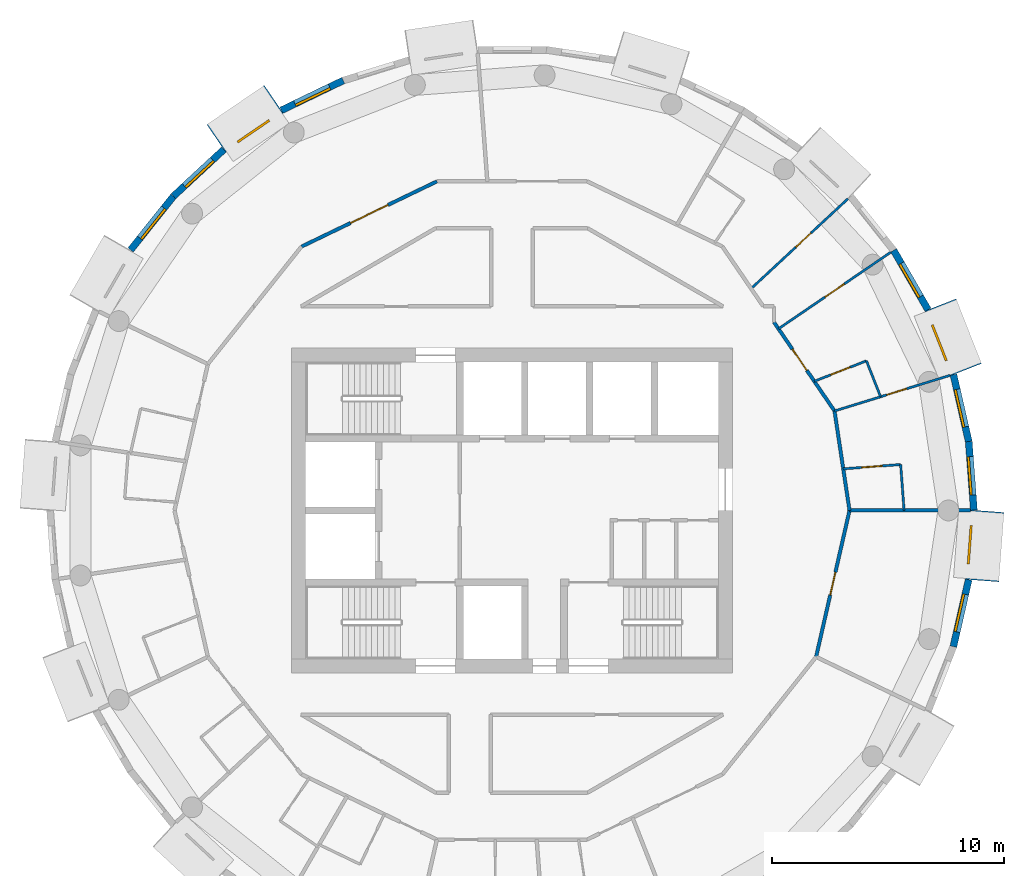
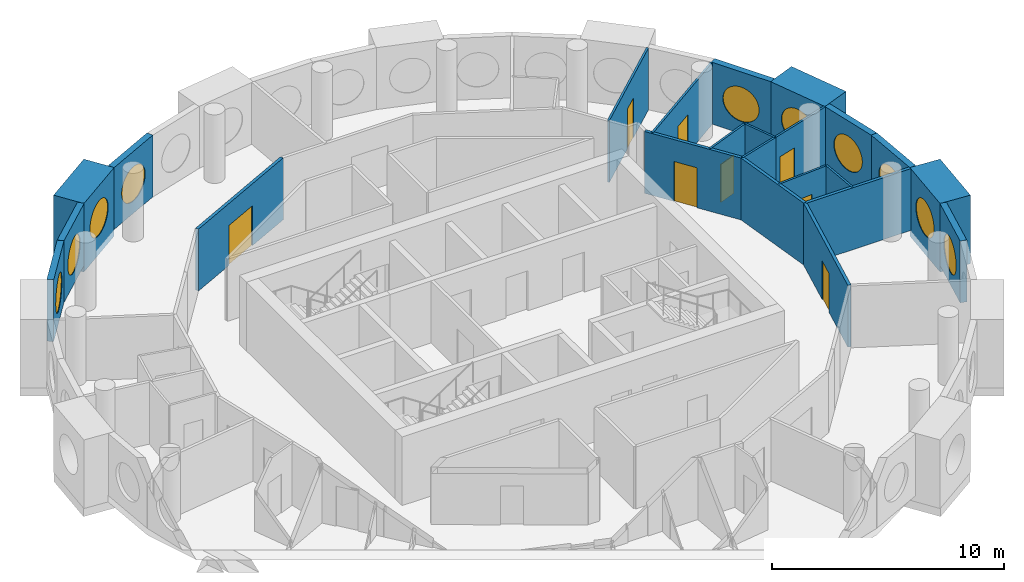
# One storey, part 9 of 12: 23 walls, 10 windows, 8 doors, 18 openings.
"""IFC4 building model written with IfcOpenShell, lengths in metres."""

from ifc_helpers import new_model, si_unit, direction, frame, frame_2d, origin, origin_2d, place, context, subcontext, project, spatial, rectangle, circle, extrude, material, layer, layer_set, type_object, element, fill, save


model = new_model("IFC4")

# Units and contexts
model_context = context("Model", 3, precision=1e-05, world=origin(), true_north=direction((0.0, 1.0)))
body_context = subcontext(model_context, "Body", "Model", "MODEL_VIEW")
ifc_project = project(units=[si_unit("LENGTHUNIT", "METRE"), si_unit("AREAUNIT", "SQUARE_METRE"), si_unit("VOLUMEUNIT", "CUBIC_METRE"), si_unit("PLANEANGLEUNIT", "RADIAN"), si_unit("MASSUNIT", "GRAM", prefix="KILO")], contexts=[model_context])

# Site, building, storey
site_placement = place(None, origin())
site = spatial("IfcSite", under=ifc_project, at=site_placement, CompositionType="ELEMENT")
building_placement = place(site_placement, origin())
building = spatial("IfcBuilding", under=site, at=building_placement, Name="Tracery Tower", CompositionType="ELEMENT")
storey_placement = place(building_placement, frame((0.0, 0.0, 291.0)))
storey = spatial("IfcBuildingStorey", under=building, at=storey_placement, Name="L75", CompositionType="ELEMENT", Elevation=291.0)

# Wall, opening, window
ifc_material_1 = material(Name="Precast concrete C50/60", Category="concrete")
ifc_layer_1 = layer(ifc_material_1, 1.449951171875)
ifc_layer_set_1 = layer_set([ifc_layer_1], Name="Deep-set bay unit 3000 x 3600, slab edge 350")
wall_type_1 = type_object("IfcWallType", Name="Deep-set bay unit 3000 x 3600, slab edge 350", PredefinedType="ELEMENTEDWALL", material=ifc_layer_set_1)
wall_1_placement = place(storey_placement, frame((19.576171875, 6.071533203125, -0.35009765625), z_axis=(0.0, 0.0, 1.0), x_axis=(-0.36537792632, 0.93085926485, 0.0)))
wall_1 = element("IfcWall", 1, at=wall_1_placement, inside=storey, type_object=wall_type_1, Name="Deep-set bay unit 3 at L75", PredefinedType="ELEMENTEDWALL", context=body_context, shape_type="SweptSolid", body=[
    extrude(rectangle(XDim=3.000244140625, YDim=1.449951171875, at=frame_2d((1.5, 0.0))), origin(), (0.0, 0.0, 1.0), 3.60009765625),
])
opening_1_placement = place(wall_1_placement, frame((1.5, 0.0, 1.89990234375)))
opening_1 = element("IfcOpeningElement", 2, at=opening_1_placement, cuts=wall_1, Name="Opening WN1", PredefinedType="OPENING", context=body_context, shape_type="SweptSolid", body=[
    extrude(circle(Radius=0.9000244140625, at=origin_2d()), frame((0.0, 0.73486328125, 0.0), z_axis=(0.0, -1.0, 0.0), x_axis=(1.0, 0.0, 0.0)), (0.0, 0.0, 1.0), 1.469970703125),
])
ifc_material_2 = material(Name="Aluminium frame with tinted double glazing", Category="aluminium")
window_type = type_object("IfcWindowType", Name="Round window 1800", PartitioningType="SINGLE_PANEL", PredefinedType="WINDOW", material=ifc_material_2)
window_1_placement = place(opening_1_placement, origin())
window_1 = element("IfcWindow", 3, at=window_1_placement, inside=storey, type_object=window_type, Name="Round window 3 at L75", OverallHeight=1.800048828125, OverallWidth=1.800048828125, PartitioningType="SINGLE_PANEL", PredefinedType="WINDOW", context=body_context, shape_type="SweptSolid", body=[
    extrude(circle(Radius=0.9000244140625, at=origin_2d()), frame((0.0, 0.69482421875, 0.0), z_axis=(0.0, -1.0, 0.0), x_axis=(1.0, 0.0, 0.0)), (0.0, 0.0, 1.0), 0.10009765625),
])
fill(opening_1, window_1)

wall_2_placement = place(storey_placement, frame((-10.275390625, 17.734130859375, -0.35009765625), z_axis=(0.0, 0.0, 1.0), x_axis=(-0.826246281157, -0.563309047392, 0.0)))
wall_2 = element("IfcWall", 4, at=wall_2_placement, inside=storey, type_object=wall_type_1, Name="Deep-set bay unit 15 at L75", PredefinedType="ELEMENTEDWALL", context=body_context, shape_type="SweptSolid", body=[
    extrude(rectangle(XDim=3.0, YDim=1.449951171875, at=frame_2d((1.5, 0.0))), origin(), (0.0, 0.0, 1.0), 3.60009765625),
])
opening_2_placement = place(wall_2_placement, frame((1.5, 0.0, 1.89990234375)))
opening_2 = element("IfcOpeningElement", 5, at=opening_2_placement, cuts=wall_2, Name="Opening WN1", PredefinedType="OPENING", context=body_context, shape_type="SweptSolid", body=[
    extrude(circle(Radius=0.9000244140625, at=origin_2d()), frame((0.0, 0.73486328125, 0.0), z_axis=(0.0, -1.0, 0.0), x_axis=(1.0, 0.0, 0.0)), (0.0, 0.0, 1.0), 1.469970703125),
])
window_2_placement = place(opening_2_placement, origin())
window_2 = element("IfcWindow", 6, at=window_2_placement, inside=storey, type_object=window_type, Name="Round window 15 at L75", OverallHeight=1.800048828125, OverallWidth=1.800048828125, PartitioningType="SINGLE_PANEL", PredefinedType="WINDOW", context=body_context, shape_type="SweptSolid", body=[
    extrude(circle(Radius=0.9000244140625, at=origin_2d()), frame((0.0, 0.69482421875, 0.0), z_axis=(0.0, -1.0, 0.0), x_axis=(1.0, 0.0, 0.0)), (0.0, 0.0, 1.0), 0.10009765625),
])
fill(opening_2, window_2)

wall_3_placement = place(storey_placement, frame((20.271728515625, -3.0234375, -0.35009765625), z_axis=(0.0, 0.0, 1.0), x_axis=(0.074785902127, 0.997199613339, 0.0)))
wall_3 = element("IfcWall", 7, at=wall_3_placement, inside=storey, type_object=wall_type_1, Name="Deep-set bay unit 42 at L75", PredefinedType="ELEMENTEDWALL", context=body_context, shape_type="SweptSolid", body=[
    extrude(rectangle(XDim=3.0, YDim=1.449951171875, at=frame_2d((1.5, 0.0))), origin(), (0.0, 0.0, 1.0), 3.60009765625),
])
opening_3_placement = place(wall_3_placement, frame((1.5, 0.0, 1.89990234375)))
opening_3 = element("IfcOpeningElement", 8, at=opening_3_placement, cuts=wall_3, Name="Opening WN1", PredefinedType="OPENING", context=body_context, shape_type="SweptSolid", body=[
    extrude(circle(Radius=0.9000244140625, at=origin_2d()), frame((0.0, 0.73486328125, 0.0), z_axis=(0.0, -1.0, 0.0), x_axis=(1.0, 0.0, 0.0)), (0.0, 0.0, 1.0), 1.469970703125),
])
window_3_placement = place(opening_3_placement, origin())
window_3 = element("IfcWindow", 9, at=window_3_placement, inside=storey, type_object=window_type, Name="Round window 42 at L75", OverallHeight=1.800048828125, OverallWidth=1.800048828125, PartitioningType="SINGLE_PANEL", PredefinedType="WINDOW", context=body_context, shape_type="SweptSolid", body=[
    extrude(circle(Radius=0.9000244140625, at=origin_2d()), frame((0.0, 0.69482421875, 0.0), z_axis=(0.0, -1.0, 0.0), x_axis=(1.0, 0.0, 0.0)), (0.0, 0.0, 1.0), 0.10009765625),
])
fill(opening_3, window_3)

ifc_material_3 = material(Name="Precast concrete C50/60", Category="concrete")
ifc_layer_2 = layer(ifc_material_3, 0.300048828125)
ifc_layer_set_2 = layer_set([ifc_layer_2], Name="Facade panel 3000 x 3250")
wall_type_2 = type_object("IfcWallType", Name="Facade panel 3000 x 3250", PredefinedType="SOLIDWALL", material=ifc_layer_set_2)
wall_4_placement = place(storey_placement, frame((19.920654296875, 0.01513671875, 0.0), z_axis=(0.0, 0.0, 1.0), x_axis=(-0.07474897196, 0.997202382263, 0.0)))
wall_4 = element("IfcWall", 10, at=wall_4_placement, inside=storey, type_object=wall_type_2, Name="Facade panel 1 at L75", PredefinedType="SOLIDWALL", context=body_context, shape_type="SweptSolid", body=[
    extrude(rectangle(XDim=2.96240234375, YDim=0.300048828125, at=frame_2d((1.481201171875, 0.0))), origin(), (0.0, 0.0, 1.0), 3.25),
])
opening_4_placement = place(wall_4_placement, frame((1.48095703125, 0.0, 1.5498046875)))
opening_4 = element("IfcOpeningElement", 11, at=opening_4_placement, cuts=wall_4, Name="Opening WN1", PredefinedType="OPENING", context=body_context, shape_type="SweptSolid", body=[
    extrude(circle(Radius=0.9000244140625, at=origin_2d()), frame((0.0, 0.159912109375, 0.0), z_axis=(0.0, -1.0, 0.0), x_axis=(1.0, 0.0, 0.0)), (0.0, 0.0, 1.0), 0.320068359375),
])
window_4_placement = place(opening_4_placement, origin())
window_4 = element("IfcWindow", 12, at=window_4_placement, inside=storey, type_object=window_type, Name="Round window 1 at L75", OverallHeight=1.800048828125, OverallWidth=1.800048828125, PartitioningType="SINGLE_PANEL", PredefinedType="WINDOW", context=body_context, shape_type="SweptSolid", body=[
    extrude(circle(Radius=0.9000244140625, at=origin_2d()), frame((0.0, 0.1201171875, 0.0), z_axis=(0.0, -1.0, 0.0), x_axis=(1.0, 0.0, 0.0)), (0.0, 0.0, 1.0), 0.10009765625),
])
fill(opening_4, window_4)

wall_5_placement = place(storey_placement, frame((19.69921875, 2.96923828125, 0.0), z_axis=(0.0, 0.0, 1.0), x_axis=(-0.222529389789, 0.974925982155, 0.0)))
wall_5 = element("IfcWall", 13, at=wall_5_placement, inside=storey, type_object=wall_type_2, Name="Facade panel 2 at L75", PredefinedType="SOLIDWALL", context=body_context, shape_type="SweptSolid", body=[
    extrude(rectangle(XDim=2.962158203125, YDim=0.300048828125, at=frame_2d((1.48095703125, 0.0))), origin(), (0.0, 0.0, 1.0), 3.25),
])
opening_5_placement = place(wall_5_placement, frame((1.48095703125, 0.0, 1.5498046875)))
opening_5 = element("IfcOpeningElement", 14, at=opening_5_placement, cuts=wall_5, Name="Opening WN1", PredefinedType="OPENING", context=body_context, shape_type="SweptSolid", body=[
    extrude(circle(Radius=0.9000244140625, at=origin_2d()), frame((0.0, 0.159912109375, 0.0), z_axis=(0.0, -1.0, 0.0), x_axis=(1.0, 0.0, 0.0)), (0.0, 0.0, 1.0), 0.320068359375),
])
window_5_placement = place(opening_5_placement, origin())
window_5 = element("IfcWindow", 15, at=window_5_placement, inside=storey, type_object=window_type, Name="Round window 2 at L75", OverallHeight=1.800048828125, OverallWidth=1.800048828125, PartitioningType="SINGLE_PANEL", PredefinedType="WINDOW", context=body_context, shape_type="SweptSolid", body=[
    extrude(circle(Radius=0.9000244140625, at=origin_2d()), frame((0.0, 0.1201171875, 0.0), z_axis=(0.0, -1.0, 0.0), x_axis=(1.0, 0.0, 0.0)), (0.0, 0.0, 1.0), 0.10009765625),
])
fill(opening_5, window_5)

wall_6_placement = place(storey_placement, frame((17.941162109375, 8.656982421875, 0.0), z_axis=(0.0, 0.0, 1.0), x_axis=(-0.499950756475, 0.86605383268, 0.0)))
wall_6 = element("IfcWall", 16, at=wall_6_placement, inside=storey, type_object=wall_type_2, Name="Facade panel 4 at L75", PredefinedType="SOLIDWALL", context=body_context, shape_type="SweptSolid", body=[
    extrude(rectangle(XDim=2.962158203125, YDim=0.300048828125, at=frame_2d((1.48095703125, 0.0))), origin(), (0.0, 0.0, 1.0), 3.25),
])
opening_6_placement = place(wall_6_placement, frame((1.48095703125, 0.0, 1.5498046875)))
opening_6 = element("IfcOpeningElement", 17, at=opening_6_placement, cuts=wall_6, Name="Opening WN1", PredefinedType="OPENING", context=body_context, shape_type="SweptSolid", body=[
    extrude(circle(Radius=0.9000244140625, at=origin_2d()), frame((0.0, 0.159912109375, 0.0), z_axis=(0.0, -1.0, 0.0), x_axis=(1.0, 0.0, 0.0)), (0.0, 0.0, 1.0), 0.320068359375),
])
window_6_placement = place(opening_6_placement, origin())
window_6 = element("IfcWindow", 18, at=window_6_placement, inside=storey, type_object=window_type, Name="Round window 4 at L75", OverallHeight=1.800048828125, OverallWidth=1.800048828125, PartitioningType="SINGLE_PANEL", PredefinedType="WINDOW", context=body_context, shape_type="SweptSolid", body=[
    extrude(circle(Radius=0.9000244140625, at=origin_2d()), frame((0.0, 0.1201171875, 0.0), z_axis=(0.0, -1.0, 0.0), x_axis=(1.0, 0.0, 0.0)), (0.0, 0.0, 1.0), 0.10009765625),
])
fill(opening_6, window_6)

wall_7_placement = place(storey_placement, frame((-7.2783203125, 18.544677734375, 0.0), z_axis=(0.0, 0.0, 1.0), x_axis=(-0.900939615635, -0.433944476838, 0.0)))
wall_7 = element("IfcWall", 19, at=wall_7_placement, inside=storey, type_object=wall_type_2, Name="Facade panel 14 at L75", PredefinedType="SOLIDWALL", context=body_context, shape_type="SweptSolid", body=[
    extrude(rectangle(XDim=2.962158203125, YDim=0.300048828125, at=frame_2d((1.48095703125, 0.0))), origin(), (0.0, 0.0, 1.0), 3.25),
])
opening_7_placement = place(wall_7_placement, frame((1.48095703125, 0.0, 1.5498046875)))
opening_7 = element("IfcOpeningElement", 20, at=opening_7_placement, cuts=wall_7, Name="Opening WN1", PredefinedType="OPENING", context=body_context, shape_type="SweptSolid", body=[
    extrude(circle(Radius=0.9000244140625, at=origin_2d()), frame((0.0, 0.159912109375, 0.0), z_axis=(0.0, -1.0, 0.0), x_axis=(1.0, 0.0, 0.0)), (0.0, 0.0, 1.0), 0.320068359375),
])
window_7_placement = place(opening_7_placement, origin())
window_7 = element("IfcWindow", 21, at=window_7_placement, inside=storey, type_object=window_type, Name="Round window 14 at L75", OverallHeight=1.800048828125, OverallWidth=1.800048828125, PartitioningType="SINGLE_PANEL", PredefinedType="WINDOW", context=body_context, shape_type="SweptSolid", body=[
    extrude(circle(Radius=0.9000244140625, at=origin_2d()), frame((0.0, 0.1201171875, 0.0), z_axis=(0.0, -1.0, 0.0), x_axis=(1.0, 0.0, 0.0)), (0.0, 0.0, 1.0), 0.10009765625),
])
fill(opening_7, window_7)

wall_8_placement = place(storey_placement, frame((-12.43212890625, 15.565185546875, 0.0), z_axis=(0.0, 0.0, 1.0), x_axis=(-0.733066412643, -0.680157066165, 0.0)))
wall_8 = element("IfcWall", 22, at=wall_8_placement, inside=storey, type_object=wall_type_2, Name="Facade panel 16 at L75", PredefinedType="SOLIDWALL", context=body_context, shape_type="SweptSolid", body=[
    extrude(rectangle(XDim=2.96240234375, YDim=0.300048828125, at=frame_2d((1.481201171875, 0.0))), origin(), (0.0, 0.0, 1.0), 3.25),
])
opening_8_placement = place(wall_8_placement, frame((1.48095703125, 0.0, 1.5498046875)))
opening_8 = element("IfcOpeningElement", 23, at=opening_8_placement, cuts=wall_8, Name="Opening WN1", PredefinedType="OPENING", context=body_context, shape_type="SweptSolid", body=[
    extrude(circle(Radius=0.9000244140625, at=origin_2d()), frame((0.0, 0.159912109375, 0.0), z_axis=(0.0, -1.0, 0.0), x_axis=(1.0, 0.0, 0.0)), (0.0, 0.0, 1.0), 0.320068359375),
])
window_8_placement = place(opening_8_placement, origin())
window_8 = element("IfcWindow", 24, at=window_8_placement, inside=storey, type_object=window_type, Name="Round window 16 at L75", OverallHeight=1.800048828125, OverallWidth=1.800048828125, PartitioningType="SINGLE_PANEL", PredefinedType="WINDOW", context=body_context, shape_type="SweptSolid", body=[
    extrude(circle(Radius=0.9000244140625, at=origin_2d()), frame((0.0, 0.1201171875, 0.0), z_axis=(0.0, -1.0, 0.0), x_axis=(1.0, 0.0, 0.0)), (0.0, 0.0, 1.0), 0.10009765625),
])
fill(opening_8, window_8)

wall_9_placement = place(storey_placement, frame((-14.603759765625, 13.55029296875, 0.0), z_axis=(0.0, 0.0, 1.0), x_axis=(-0.623498236992, -0.781824755599, 0.0)))
wall_9 = element("IfcWall", 25, at=wall_9_placement, inside=storey, type_object=wall_type_2, Name="Facade panel 17 at L75", PredefinedType="SOLIDWALL", context=body_context, shape_type="SweptSolid", body=[
    extrude(rectangle(XDim=2.962158203125, YDim=0.300048828125, at=frame_2d((1.48095703125, 0.0))), origin(), (0.0, 0.0, 1.0), 3.25),
])
opening_9_placement = place(wall_9_placement, frame((1.48095703125, 0.0, 1.5498046875)))
opening_9 = element("IfcOpeningElement", 26, at=opening_9_placement, cuts=wall_9, Name="Opening WN1", PredefinedType="OPENING", context=body_context, shape_type="SweptSolid", body=[
    extrude(circle(Radius=0.9000244140625, at=origin_2d()), frame((0.0, 0.159912109375, 0.0), z_axis=(0.0, -1.0, 0.0), x_axis=(1.0, 0.0, 0.0)), (0.0, 0.0, 1.0), 0.320068359375),
])
window_9_placement = place(opening_9_placement, origin())
window_9 = element("IfcWindow", 27, at=window_9_placement, inside=storey, type_object=window_type, Name="Round window 17 at L75", OverallHeight=1.800048828125, OverallWidth=1.800048828125, PartitioningType="SINGLE_PANEL", PredefinedType="WINDOW", context=body_context, shape_type="SweptSolid", body=[
    extrude(circle(Radius=0.9000244140625, at=origin_2d()), frame((0.0, 0.1201171875, 0.0), z_axis=(0.0, -1.0, 0.0), x_axis=(1.0, 0.0, 0.0)), (0.0, 0.0, 1.0), 0.10009765625),
])
fill(opening_9, window_9)

wall_10_placement = place(storey_placement, frame((19.03662109375, -5.8720703125, 0.0), z_axis=(0.0, 0.0, 1.0), x_axis=(0.222529389789, 0.974925982155, 0.0)))
wall_10 = element("IfcWall", 28, at=wall_10_placement, inside=storey, type_object=wall_type_2, Name="Facade panel 41 at L75", PredefinedType="SOLIDWALL", context=body_context, shape_type="SweptSolid", body=[
    extrude(rectangle(XDim=2.962158203125, YDim=0.300048828125, at=frame_2d((1.48095703125, 0.0))), origin(), (0.0, 0.0, 1.0), 3.25),
])
opening_10_placement = place(wall_10_placement, frame((1.48095703125, 0.0, 1.5498046875)))
opening_10 = element("IfcOpeningElement", 29, at=opening_10_placement, cuts=wall_10, Name="Opening WN1", PredefinedType="OPENING", context=body_context, shape_type="SweptSolid", body=[
    extrude(circle(Radius=0.9000244140625, at=origin_2d()), frame((0.0, 0.159912109375, 0.0), z_axis=(0.0, -1.0, 0.0), x_axis=(1.0, 0.0, 0.0)), (0.0, 0.0, 1.0), 0.320068359375),
])
window_10_placement = place(opening_10_placement, origin())
window_10 = element("IfcWindow", 30, at=window_10_placement, inside=storey, type_object=window_type, Name="Round window 41 at L75", OverallHeight=1.800048828125, OverallWidth=1.800048828125, PartitioningType="SINGLE_PANEL", PredefinedType="WINDOW", context=body_context, shape_type="SweptSolid", body=[
    extrude(circle(Radius=0.9000244140625, at=origin_2d()), frame((0.0, 0.1201171875, 0.0), z_axis=(0.0, -1.0, 0.0), x_axis=(1.0, 0.0, 0.0)), (0.0, 0.0, 1.0), 0.10009765625),
])
fill(opening_10, window_10)

# Wall, opening, door
ifc_material_4 = material(Name="Plasterboard on steel studs", Category="steel")
ifc_layer_3 = layer(ifc_material_4, 0.10009765625)
ifc_layer_set_3 = layer_set([ifc_layer_3], Name="Partition 100 stud")
wall_type_3 = type_object("IfcWallType", Name="Partition 100 stud", PredefinedType="PARTITIONING", material=ifc_layer_set_3)
wall_11_placement = place(storey_placement, frame((11.492919921875, 7.8359375, 0.0), z_axis=(0.0, 0.0, 1.0), x_axis=(0.826231748746, 0.563330362544, 0.0)))
wall_11 = element("IfcWall", 31, at=wall_11_placement, inside=storey, type_object=wall_type_3, Name="Stud partition RC6-046", PredefinedType="PARTITIONING", context=body_context, shape_type="SweptSolid", body=[
    extrude(rectangle(XDim=5.861572265625, YDim=0.10009765625, at=frame_2d((2.9306640625, 0.0))), origin(), (0.0, 0.0, 1.0), 3.25),
])
opening_11_placement = place(wall_11_placement, frame((2.430908203125, 0.0, 0.0)))
opening_11 = element("IfcOpeningElement", 32, at=opening_11_placement, cuts=wall_11, Name="Opening RC6-06", PredefinedType="OPENING", context=body_context, shape_type="SweptSolid", body=[
    extrude(rectangle(XDim=1.0, YDim=2.0400390625, at=frame_2d((0.5, 1.02001953125))), frame((0.0, 0.050048828125, 0.0), z_axis=(0.0, -1.0, 0.0), x_axis=(1.0, 0.0, 0.0)), (0.0, 0.0, 1.0), 0.10009765625),
])
ifc_material_5 = material(Name="Timber door leaf", Category="wood")
door_type_1 = type_object("IfcDoorType", Name="Door communal room 1000", OperationType="NOTDEFINED", PredefinedType="DOOR", material=ifc_material_5)
door_1_placement = place(opening_11_placement, origin())
door_1 = element("IfcDoor", 33, at=door_1_placement, inside=storey, type_object=door_type_1, Name="Communal room door RC6-06", OperationType="SINGLE_SWING_RIGHT", OverallHeight=2.0400390625, OverallWidth=1.0, PredefinedType="DOOR", context=body_context, shape_type="SweptSolid", body=[
    extrude(rectangle(XDim=1.0, YDim=2.0400390625, at=frame_2d((0.5, 1.02001953125))), frame((0.0, 0.02490234375, 0.0), z_axis=(0.0, -1.0, 0.0), x_axis=(1.0, 0.0, 0.0)), (0.0, 0.0, 1.0), 0.050048828125),
])
fill(opening_11, door_1)

wall_12_placement = place(storey_placement, frame((15.89599609375, 4.904052734375, 0.0), z_axis=(0.0, 0.0, 1.0), x_axis=(0.955630770746, 0.294567190983, 0.0)))
wall_12 = element("IfcWall", 34, at=wall_12_placement, inside=storey, type_object=wall_type_3, Name="Stud partition RC6-049", PredefinedType="PARTITIONING", context=body_context, shape_type="SweptSolid", body=[
    extrude(rectangle(XDim=3.13623046875, YDim=0.10009765625, at=frame_2d((1.568115234375, 0.0))), origin(), (0.0, 0.0, 1.0), 3.25),
])
opening_12_placement = place(wall_12_placement, frame((0.276123046875, 0.0, 0.0)))
opening_12 = element("IfcOpeningElement", 35, at=opening_12_placement, cuts=wall_12, Name="Opening RC6-08", PredefinedType="OPENING", context=body_context, shape_type="SweptSolid", body=[
    extrude(rectangle(XDim=0.89990234375, YDim=2.10009765625, at=frame_2d((0.449951171875, 1.050048828125))), frame((0.0, 0.050048828125, 0.0), z_axis=(0.0, -1.0, 0.0), x_axis=(1.0, 0.0, 0.0)), (0.0, 0.0, 1.0), 0.10009765625),
])
ifc_material_6 = material(Name="Timber door leaf", Category="wood")
door_type_2 = type_object("IfcDoorType", Name="Door bedroom 900", OperationType="NOTDEFINED", PredefinedType="DOOR", material=ifc_material_6)
door_2_placement = place(opening_12_placement, origin())
door_2 = element("IfcDoor", 36, at=door_2_placement, inside=storey, type_object=door_type_2, Name="Bedroom door RC6-08", OperationType="SINGLE_SWING_RIGHT", OverallHeight=2.10009765625, OverallWidth=0.89990234375, PredefinedType="DOOR", context=body_context, shape_type="SweptSolid", body=[
    extrude(rectangle(XDim=0.89990234375, YDim=2.10009765625, at=frame_2d((0.449951171875, 1.050048828125))), frame((0.0, 0.02490234375, 0.0), z_axis=(0.0, -1.0, 0.0), x_axis=(1.0, 0.0, 0.0)), (0.0, 0.0, 1.0), 0.050048828125),
])
fill(opening_12, door_2)

wall_13_placement = place(storey_placement, frame((10.31201171875, 9.568115234375, 0.0), z_axis=(0.0, 0.0, 1.0), x_axis=(0.733002312561, 0.680226146057, 0.0)))
wall_13 = element("IfcWall", 37, at=wall_13_placement, inside=storey, type_object=wall_type_3, Name="Stud partition RC6-050", PredefinedType="PARTITIONING", context=body_context, shape_type="SweptSolid", body=[
    extrude(rectangle(XDim=5.703857421875, YDim=0.10009765625, at=frame_2d((2.85205078125, 0.0))), origin(), (0.0, 0.0, 1.0), 3.25),
])
opening_13_placement = place(wall_13_placement, frame((2.6220703125, 0.0, 0.0)))
opening_13 = element("IfcOpeningElement", 38, at=opening_13_placement, cuts=wall_13, Name="Opening RC6-10", PredefinedType="OPENING", context=body_context, shape_type="SweptSolid", body=[
    extrude(rectangle(XDim=0.89990234375, YDim=2.10009765625, at=frame_2d((0.449951171875, 1.050048828125))), frame((0.0, 0.050048828125, 0.0), z_axis=(0.0, -1.0, 0.0), x_axis=(1.0, 0.0, 0.0)), (0.0, 0.0, 1.0), 0.10009765625),
])
door_3_placement = place(opening_13_placement, origin())
door_3 = element("IfcDoor", 39, at=door_3_placement, inside=storey, type_object=door_type_2, Name="Bedroom door RC6-10", OperationType="SINGLE_SWING_RIGHT", OverallHeight=2.10009765625, OverallWidth=0.89990234375, PredefinedType="DOOR", context=body_context, shape_type="SweptSolid", body=[
    extrude(rectangle(XDim=0.89990234375, YDim=2.10009765625, at=frame_2d((0.449951171875, 1.050048828125))), frame((0.0, 0.02490234375, 0.0), z_axis=(0.0, -1.0, 0.0), x_axis=(1.0, 0.0, 0.0)), (0.0, 0.0, 1.0), 0.050048828125),
])
fill(opening_13, door_3)

# Wall
ifc_material_7 = material(Name="Plasterboard on steel studs", Category="steel")
ifc_layer_4 = layer(ifc_material_7, 0.10009765625)
ifc_layer_set_4 = layer_set([ifc_layer_4], Name="Partition 100 wet wall")
wall_type_4 = type_object("IfcWallType", Name="Partition 100 wet wall", PredefinedType="PARTITIONING", material=ifc_layer_set_4)
wall_14_placement = place(storey_placement, frame((15.287109375, 6.4541015625, 0.0), z_axis=(0.0, 0.0, 1.0), x_axis=(0.365620622357, -0.930763966056, 0.0)))
element("IfcWall", 40, at=wall_14_placement, inside=storey, type_object=wall_type_4, Name="Wet wall RC6-047", PredefinedType="PARTITIONING", context=body_context, shape_type="SweptSolid", body=[
    extrude(rectangle(XDim=1.665283203125, YDim=0.10009765625, at=frame_2d((0.83251953125, 0.0))), origin(), (0.0, 0.0, 1.0), 3.25),
])

# Wall, opening, door
wall_15_placement = place(storey_placement, frame((13.037109375, 5.571044921875, 0.0), z_axis=(0.0, 0.0, 1.0), x_axis=(0.930874211086, 0.365339846083, 0.0)))
wall_15 = element("IfcWall", 41, at=wall_15_placement, inside=storey, type_object=wall_type_4, Name="Wet wall RC6-048", PredefinedType="PARTITIONING", context=body_context, shape_type="SweptSolid", body=[
    extrude(rectangle(XDim=2.4169921875, YDim=0.10009765625, at=frame_2d((1.20849609375, 0.0))), origin(), (0.0, 0.0, 1.0), 3.25),
])
opening_14_placement = place(wall_15_placement, frame((0.758056640625, 0.0, 0.0)))
opening_14 = element("IfcOpeningElement", 42, at=opening_14_placement, cuts=wall_15, Name="Opening RC6-07", PredefinedType="OPENING", context=body_context, shape_type="SweptSolid", body=[
    extrude(rectangle(XDim=0.89990234375, YDim=2.0, at=frame_2d((0.449951171875, 1.0))), frame((0.0, 0.050048828125, 0.0), z_axis=(0.0, -1.0, 0.0), x_axis=(1.0, 0.0, 0.0)), (0.0, 0.0, 1.0), 0.10009765625),
])
ifc_material_8 = material(Name="Timber door leaf", Category="wood")
door_type_3 = type_object("IfcDoorType", Name="Door shower room 900", OperationType="NOTDEFINED", PredefinedType="DOOR", material=ifc_material_8)
door_4_placement = place(opening_14_placement, origin())
door_4 = element("IfcDoor", 43, at=door_4_placement, inside=storey, type_object=door_type_3, Name="Shower room door RC6-07", OperationType="SINGLE_SWING_RIGHT", OverallHeight=2.0, OverallWidth=0.89990234375, PredefinedType="DOOR", context=body_context, shape_type="SweptSolid", body=[
    extrude(rectangle(XDim=0.89990234375, YDim=2.0, at=frame_2d((0.449951171875, 1.0))), frame((0.0, 0.02490234375, 0.0), z_axis=(0.0, -1.0, 0.0), x_axis=(1.0, 0.0, 0.0)), (0.0, 0.0, 1.0), 0.050048828125),
])
fill(opening_14, door_4)

# Walls
wall_16_placement = place(storey_placement, frame((13.909912109375, 4.291015625, 0.0), z_axis=(0.0, 0.0, 1.0), x_axis=(0.955649377322, 0.294506821014, 0.0)))
element("IfcWall", 44, at=wall_16_placement, inside=storey, type_object=wall_type_4, Name="Wet wall RC6-051", PredefinedType="PARTITIONING", context=body_context, shape_type="SweptSolid", body=[
    extrude(rectangle(XDim=2.078369140625, YDim=0.10009765625, at=frame_2d((1.0390625, 0.0))), origin(), (0.0, 0.0, 1.0), 3.25),
])
wall_17_placement = place(storey_placement, frame((16.761962890625, 1.98095703125, 0.0), z_axis=(0.0, 0.0, 1.0), x_axis=(0.074478298815, -0.997222634624, 0.0)))
element("IfcWall", 45, at=wall_17_placement, inside=storey, type_object=wall_type_4, Name="Wet wall RC6-052", PredefinedType="PARTITIONING", context=body_context, shape_type="SweptSolid", body=[
    extrude(rectangle(XDim=1.986572265625, YDim=0.10009765625, at=frame_2d((0.9931640625, 0.0))), origin(), (0.0, 0.0, 1.0), 3.25),
])

# Wall, opening, door
wall_18_placement = place(storey_placement, frame((14.285888671875, 1.794921875, 0.0), z_axis=(0.0, 0.0, 1.0), x_axis=(0.997189401658, 0.074921940846, 0.0)))
wall_18 = element("IfcWall", 46, at=wall_18_placement, inside=storey, type_object=wall_type_4, Name="Wet wall RC6-053", PredefinedType="PARTITIONING", context=body_context, shape_type="SweptSolid", body=[
    extrude(rectangle(XDim=2.483154296875, YDim=0.10009765625, at=frame_2d((1.24169921875, 0.0))), origin(), (0.0, 0.0, 1.0), 3.25),
])
opening_15_placement = place(wall_18_placement, frame((0.7919921875, 0.0, 0.0)))
opening_15 = element("IfcOpeningElement", 47, at=opening_15_placement, cuts=wall_18, Name="Opening RC6-09", PredefinedType="OPENING", context=body_context, shape_type="SweptSolid", body=[
    extrude(rectangle(XDim=0.89990234375, YDim=2.0400390625, at=frame_2d((0.449951171875, 1.02001953125))), frame((0.0, 0.050048828125, 0.0), z_axis=(0.0, -1.0, 0.0), x_axis=(1.0, 0.0, 0.0)), (0.0, 0.0, 1.0), 0.10009765625),
])
ifc_material_9 = material(Name="Timber door leaf", Category="wood")
door_type_4 = type_object("IfcDoorType", Name="Door en-suite 900", OperationType="NOTDEFINED", PredefinedType="DOOR", material=ifc_material_9)
door_5_placement = place(opening_15_placement, origin())
door_5 = element("IfcDoor", 48, at=door_5_placement, inside=storey, type_object=door_type_4, Name="En-suite door RC6-09", OperationType="SINGLE_SWING_LEFT", OverallHeight=2.0400390625, OverallWidth=0.89990234375, PredefinedType="DOOR", context=body_context, shape_type="SweptSolid", body=[
    extrude(rectangle(XDim=0.89990234375, YDim=2.0400390625, at=frame_2d((0.449951171875, 1.02001953125))), frame((0.0, 0.02490234375, 0.0), z_axis=(0.0, -1.0, 0.0), x_axis=(1.0, 0.0, 0.0)), (0.0, 0.0, 1.0), 0.050048828125),
])
fill(opening_15, door_5)

# Wall
ifc_material_10 = material(Name="Plasterboard on steel studs", Category="steel")
ifc_layer_5 = layer(ifc_material_10, 0.14990234375)
ifc_layer_set_5 = layer_set([ifc_layer_5], Name="Partition 150 acoustic unit wall")
wall_type_5 = type_object("IfcWallType", Name="Partition 150 acoustic unit wall", PredefinedType="PARTITIONING", material=ifc_layer_set_5)
wall_19_placement = place(storey_placement, frame((14.556884765625, 0.0, 0.0), z_axis=(0.0, 0.0, 1.0), x_axis=(1.0, 0.0, 0.0)))
element("IfcWall", 49, at=wall_19_placement, inside=storey, type_object=wall_type_5, Name="Unit wall RC6-054", PredefinedType="PARTITIONING", context=body_context, shape_type="SweptSolid", body=[
    extrude(rectangle(XDim=5.214111328125, YDim=0.14990234375, at=frame_2d((2.60693359375, 0.0))), origin(), (0.0, 0.0, 1.0), 3.25),
])

# Wall, opening, door
ifc_material_11 = material(Name="Plasterboard on steel studs", Category="steel")
ifc_layer_6 = layer(ifc_material_11, 0.14990234375)
ifc_layer_set_6 = layer_set([ifc_layer_6], Name="Partition 150 corridor wall")
wall_type_6 = type_object("IfcWallType", Name="Partition 150 corridor wall", PredefinedType="PARTITIONING", material=ifc_layer_set_6)
wall_20_placement = place(storey_placement, frame((11.300048828125, 8.118896484375, 0.0), z_axis=(0.0, 0.0, 1.0), x_axis=(0.56348561488, -0.82612587529, 0.0)))
wall_20 = element("IfcWall", 50, at=wall_20_placement, inside=storey, type_object=wall_type_6, Name="Corridor wall RC6-021", PredefinedType="PARTITIONING", context=body_context, shape_type="SweptSolid", body=[
    extrude(rectangle(XDim=4.633056640625, YDim=0.14990234375, at=frame_2d((2.31640625, 0.0))), origin(), (0.0, 0.0, 1.0), 3.25),
])
opening_16_placement = place(wall_20_placement, frame((1.412841796875, 0.0, 0.0)))
opening_16 = element("IfcOpeningElement", 51, at=opening_16_placement, cuts=wall_20, Name="Opening RC6-05", PredefinedType="OPENING", context=body_context, shape_type="SweptSolid", body=[
    extrude(rectangle(XDim=1.10009765625, YDim=2.10009765625, at=frame_2d((0.550048828125, 1.050048828125))), frame((0.0, 0.074951171875, 0.0), z_axis=(0.0, -1.0, 0.0), x_axis=(1.0, 0.0, 0.0)), (0.0, 0.0, 1.0), 0.14990234375),
])
ifc_material_12 = material(Name="Timber door leaf", Category="wood")
door_type_5 = type_object("IfcDoorType", Name="Door cluster entrance 1100", OperationType="NOTDEFINED", PredefinedType="DOOR", material=ifc_material_12)
door_6_placement = place(opening_16_placement, origin())
door_6 = element("IfcDoor", 52, at=door_6_placement, inside=storey, type_object=door_type_5, Name="Cluster entrance door RC6-05", OperationType="SINGLE_SWING_RIGHT", OverallHeight=2.10009765625, OverallWidth=1.10009765625, PredefinedType="DOOR", context=body_context, shape_type="SweptSolid", body=[
    extrude(rectangle(XDim=1.10009765625, YDim=2.10009765625, at=frame_2d((0.550048828125, 1.050048828125))), frame((0.0, 0.02490234375, 0.0), z_axis=(0.0, -1.0, 0.0), x_axis=(1.0, 0.0, 0.0)), (0.0, 0.0, 1.0), 0.050048828125),
])
fill(opening_16, door_6)

# Wall
wall_21_placement = place(storey_placement, frame((13.909912109375, 4.291015625, 0.0), z_axis=(0.0, 0.0, 1.0), x_axis=(0.149143716951, -0.988815529659, 0.0)))
element("IfcWall", 53, at=wall_21_placement, inside=storey, type_object=wall_type_6, Name="Corridor wall RC6-022", PredefinedType="PARTITIONING", context=body_context, shape_type="SweptSolid", body=[
    extrude(rectangle(XDim=4.339599609375, YDim=0.14990234375, at=frame_2d((2.169921875, 0.0))), origin(), (0.0, 0.0, 1.0), 3.25),
])

# Wall, opening, door
wall_22_placement = place(storey_placement, frame((13.114990234375, -6.31591796875, 0.0), z_axis=(0.0, 0.0, 1.0), x_axis=(0.222568978642, 0.97491694505, 0.0)))
wall_22 = element("IfcWall", 54, at=wall_22_placement, inside=storey, type_object=wall_type_6, Name="Corridor wall RC6-024", PredefinedType="PARTITIONING", context=body_context, shape_type="SweptSolid", body=[
    extrude(rectangle(XDim=6.478515625, YDim=0.14990234375, at=frame_2d((3.2392578125, 0.0))), origin(), (0.0, 0.0, 1.0), 3.25),
])
opening_17_placement = place(wall_22_placement, frame((2.739501953125, 0.0, 0.0)))
opening_17 = element("IfcOpeningElement", 55, at=opening_17_placement, cuts=wall_22, Name="Opening RC6-31", PredefinedType="OPENING", context=body_context, shape_type="SweptSolid", body=[
    extrude(rectangle(XDim=1.0, YDim=2.0400390625, at=frame_2d((0.5, 1.02001953125))), frame((0.0, 0.074951171875, 0.0), z_axis=(0.0, -1.0, 0.0), x_axis=(1.0, 0.0, 0.0)), (0.0, 0.0, 1.0), 0.14990234375),
])
door_7_placement = place(opening_17_placement, origin())
door_7 = element("IfcDoor", 56, at=door_7_placement, inside=storey, type_object=door_type_1, Name="Communal room door RC6-31", OperationType="SINGLE_SWING_LEFT", OverallHeight=2.0400390625, OverallWidth=1.0, PredefinedType="DOOR", context=body_context, shape_type="SweptSolid", body=[
    extrude(rectangle(XDim=1.0, YDim=2.0400390625, at=frame_2d((0.5, 1.02001953125))), frame((0.0, 0.02490234375, 0.0), z_axis=(0.0, -1.0, 0.0), x_axis=(1.0, 0.0, 0.0)), (0.0, 0.0, 1.0), 0.050048828125),
])
fill(opening_17, door_7)

wall_23_placement = place(storey_placement, frame((-9.075927734375, 11.381103515625, 0.0), z_axis=(0.0, 0.0, 1.0), x_axis=(0.900976027191, 0.433868872388, 0.0)))
wall_23 = element("IfcWall", 57, at=wall_23_placement, inside=storey, type_object=wall_type_6, Name="Corridor wall RC6-032", PredefinedType="PARTITIONING", context=body_context, shape_type="SweptSolid", body=[
    extrude(rectangle(XDim=6.478515625, YDim=0.14990234375, at=frame_2d((3.2392578125, 0.0))), origin(), (0.0, 0.0, 1.0), 3.25),
])
opening_18_placement = place(wall_23_placement, frame((2.339111328125, 0.0, 0.0)))
opening_18 = element("IfcOpeningElement", 58, at=opening_18_placement, cuts=wall_23, Name="Opening RC6-13", PredefinedType="OPENING", context=body_context, shape_type="SweptSolid", body=[
    extrude(rectangle(XDim=1.800048828125, YDim=2.10009765625, at=frame_2d((0.89990234375, 1.050048828125))), frame((0.0, 0.074951171875, 0.0), z_axis=(0.0, -1.0, 0.0), x_axis=(1.0, 0.0, 0.0)), (0.0, 0.0, 1.0), 0.14990234375),
])
ifc_material_13 = material(Name="Timber door leaf", Category="wood")
door_type_6 = type_object("IfcDoorType", Name="Door double lounge 1800", OperationType="NOTDEFINED", PredefinedType="DOOR", material=ifc_material_13)
door_8_placement = place(opening_18_placement, origin())
door_8 = element("IfcDoor", 59, at=door_8_placement, inside=storey, type_object=door_type_6, Name="Double lounge door RC6-13", OperationType="DOUBLE_DOOR_SINGLE_SWING", OverallHeight=2.10009765625, OverallWidth=1.800048828125, PredefinedType="DOOR", context=body_context, shape_type="SweptSolid", body=[
    extrude(rectangle(XDim=1.800048828125, YDim=2.10009765625, at=frame_2d((0.89990234375, 1.050048828125))), frame((0.0, 0.02490234375, 0.0), z_axis=(0.0, -1.0, 0.0), x_axis=(1.0, 0.0, 0.0)), (0.0, 0.0, 1.0), 0.050048828125),
])
fill(opening_18, door_8)

save(model, "model.ifc")
